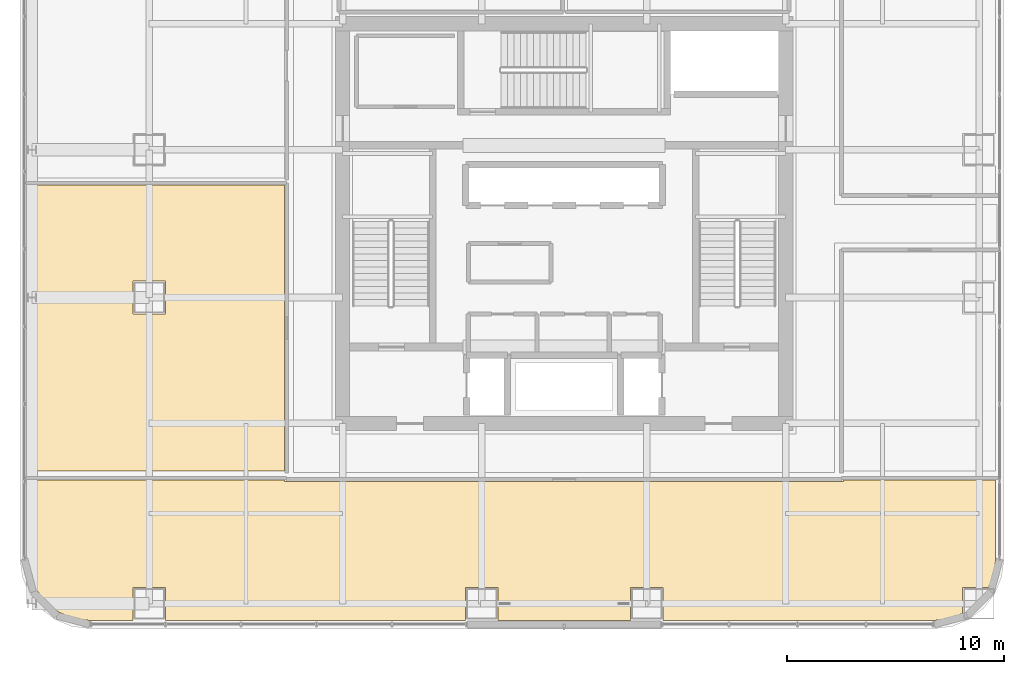
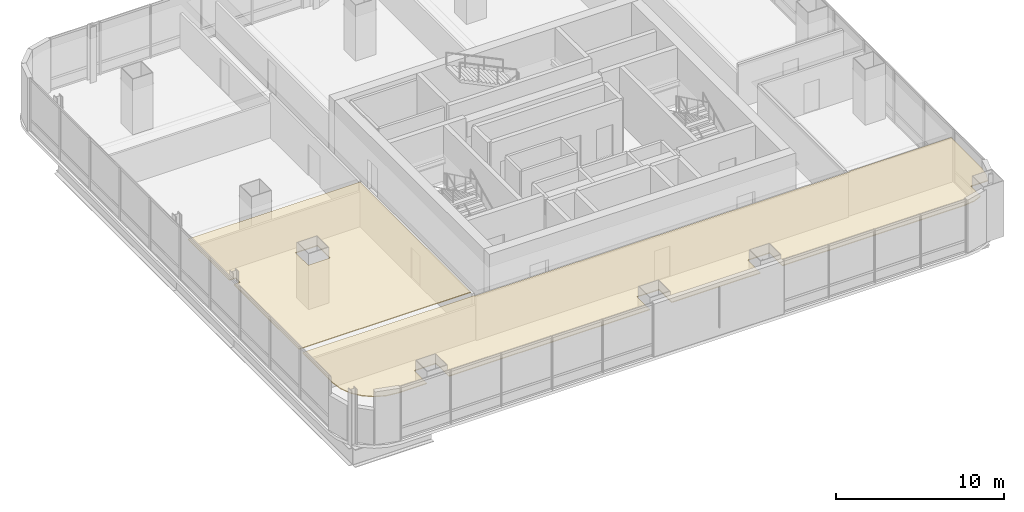
# One storey, part 32 of 38: 2 coverings.
"""IFC4 building model written with IfcOpenShell, lengths in metres."""

from ifc_helpers import new_model, si_unit, direction, frame, origin, place, context, subcontext, project, spatial, polyline, outline, extrude, material, layer, layer_set, type_object, element, save


model = new_model("IFC4")

# Units and contexts
model_context = context("Model", 3, precision=1e-05, world=origin(), true_north=direction((0.0, 1.0)))
body_context = subcontext(model_context, "Body", "Model", "MODEL_VIEW")
ifc_project = project(units=[si_unit("LENGTHUNIT", "METRE"), si_unit("AREAUNIT", "SQUARE_METRE"), si_unit("VOLUMEUNIT", "CUBIC_METRE"), si_unit("PLANEANGLEUNIT", "RADIAN"), si_unit("MASSUNIT", "GRAM", prefix="KILO")], contexts=[model_context])

# Site, building, storey
site_placement = place(None, origin())
site = spatial("IfcSite", under=ifc_project, at=site_placement, CompositionType="ELEMENT")
building_placement = place(site_placement, origin())
building = spatial("IfcBuilding", under=site, at=building_placement, Name="Punatoya Terracotta Tower", CompositionType="ELEMENT")
storey_placement = place(building_placement, frame((0.0, 0.0, 156.0)))
storey = spatial("IfcBuildingStorey", under=building, at=storey_placement, Name="L36", CompositionType="ELEMENT", Elevation=156.0)

# Coverings
ifc_material = material(Name="Acoustic Mineral Fibre Ceiling")
ifc_layer = layer(ifc_material, 0.06005859375)
ifc_layer_set = layer_set([ifc_layer], Name="Acoustic Mineral Fibre Ceiling")
covering_type = type_object("IfcCoveringType", Name="COV-CEIL-60", PredefinedType="CEILING", material=ifc_layer_set)
covering_1_placement = place(storey_placement, frame((0.0, 0.0, 3.219970703125)))
element("IfcCovering", 1, at=covering_1_placement, inside=storey, type_object=covering_type, Name="L36 Open Workplace Studio Acoustic Ceiling", PredefinedType="CEILING", context=body_context, shape_type="SweptSolid", body=[
    extrude(outline(polyline([(-24.289306640625, -16.8583984375), (-23.841796875, -17.441650390625), (-23.25830078125, -17.889404296875), (-22.5791015625, -18.1708984375), (-21.8251953125, -18.27001953125), (-19.85009765625, -18.27001953125), (-19.85009765625, -16.75), (-18.35009765625, -16.75), (-18.35009765625, -18.27001953125), (-4.550048828125, -18.27001953125), (-4.550048828125, -16.75), (-3.050048828125, -16.75), (-3.050048828125, -18.27001953125), (3.050048828125, -18.27001953125), (3.050048828125, -16.75), (4.550048828125, -16.75), (4.550048828125, -18.27001953125), (17.025146484375, -18.27001953125), (17.779052734375, -18.1708984375), (18.35009765625, -17.934326171875), (18.35009765625, -16.75), (19.5341796875, -16.75), (19.770751953125, -16.178955078125), (19.8701171875, -15.425048828125), (19.8701171875, -11.81005859375), (12.8701171875, -11.81005859375), (12.8701171875, -11.8701171875), (-12.8701171875, -11.8701171875), (-12.8701171875, -11.81005859375), (-24.669921875, -11.81005859375), (-24.669921875, -15.425048828125), (-24.57080078125, -16.178955078125), (-24.289306640625, -16.8583984375)])), origin(), (0.0, 0.0, 1.0), 0.06005859375),
])
covering_2_placement = place(storey_placement, frame((0.0, 0.0, 3.219970703125)))
element("IfcCovering", 2, at=covering_2_placement, inside=storey, type_object=covering_type, Name="L36 Project Design Office Acoustic Ceiling", PredefinedType="CEILING", context=body_context, shape_type="SweptSolid", body=[
    extrude(outline(polyline([(-24.669921875, -3.66259765625), (-24.669921875, -11.389892578125), (-12.8701171875, -11.389892578125), (-12.8701171875, 1.780029296875), (-24.669921875, 1.780029296875), (-24.669921875, -3.137451171875), (-24.24560546875, -3.137451171875), (-24.24560546875, -3.66259765625), (-24.669921875, -3.66259765625)]), holes=[polyline([(-18.35009765625, -4.14990234375), (-19.85009765625, -4.14990234375), (-19.85009765625, -2.64990234375), (-18.35009765625, -2.64990234375), (-18.35009765625, -4.14990234375)])]), origin(), (0.0, 0.0, 1.0), 0.06005859375),
])

save(model, "model.ifc")
